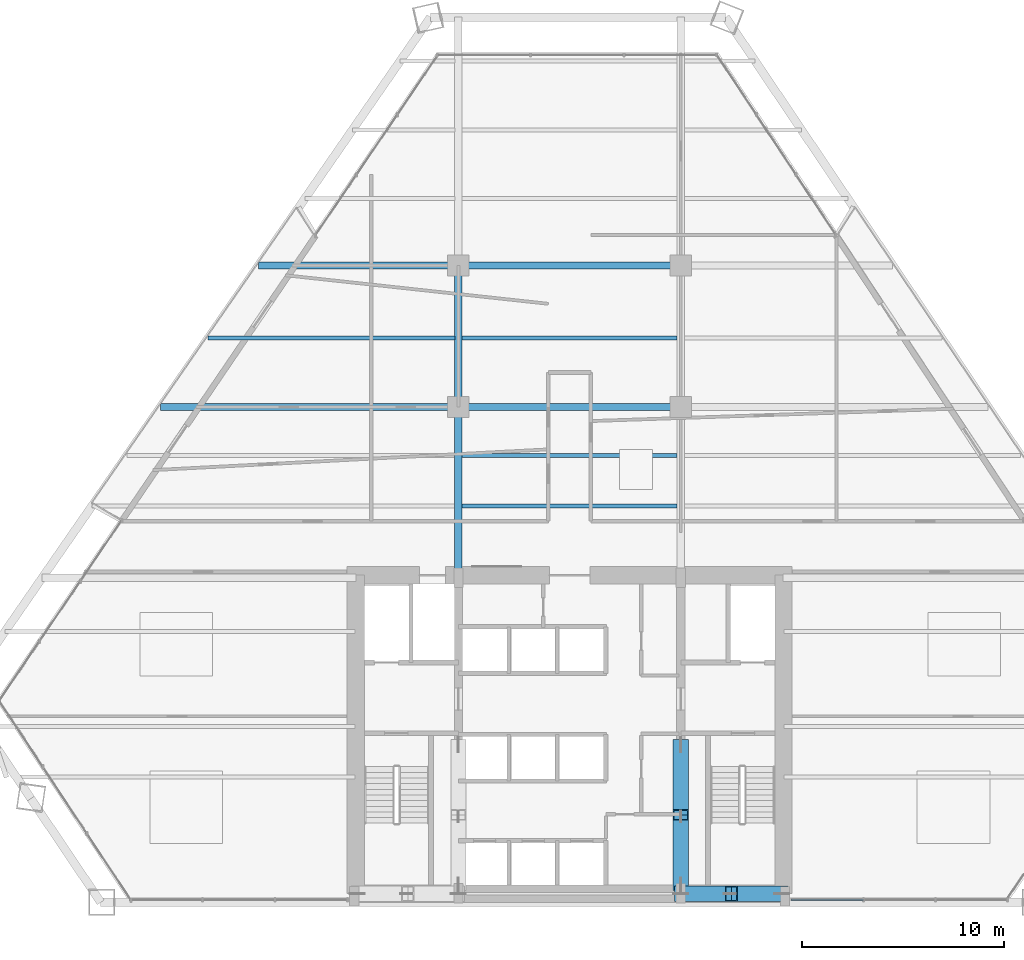
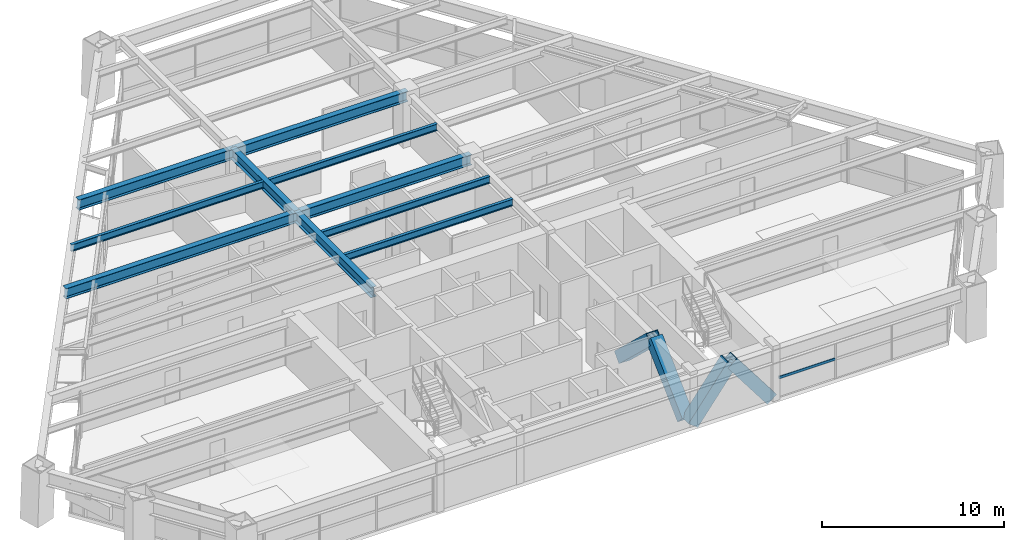
# One storey, part 5 of 14: 10 beams, 5 members, 1 element without a shape of its own.
"""IFC4 building model written with IfcOpenShell, lengths in metres."""

from ifc_helpers import new_model, si_unit, direction, frame, origin, origin_2d, place, context, subcontext, project, spatial, rectangle, hollow_rectangle, i_section, extrude, source, transform, mapped, material, material_profile, profile_set, type_object, type_shapes, element, aggregate, save


model = new_model("IFC4")

# Units and contexts
model_context = context("Model", 3, precision=1e-05, world=origin(), true_north=direction((0.0, 1.0)))
body_context = subcontext(model_context, "Body", "Model", "MODEL_VIEW")
ifc_project = project(units=[si_unit("LENGTHUNIT", "METRE"), si_unit("AREAUNIT", "SQUARE_METRE"), si_unit("VOLUMEUNIT", "CUBIC_METRE"), si_unit("PLANEANGLEUNIT", "RADIAN"), si_unit("MASSUNIT", "GRAM", prefix="KILO")], contexts=[model_context])

# Site, building, storey
site_placement = place(None, origin())
site = spatial("IfcSite", under=ifc_project, at=site_placement, CompositionType="ELEMENT")
building_placement = place(site_placement, origin())
building = spatial("IfcBuilding", under=site, at=building_placement, Name="Varnakhor Terracotta Tower", CompositionType="ELEMENT")
storey_placement = place(building_placement, frame((0.0, 0.0, 64.5)))
storey = spatial("IfcBuildingStorey", under=building, at=storey_placement, Name="L15", CompositionType="ELEMENT", Elevation=64.5)

# Beams
ifc_material_1 = material(Name="Steel S355", Category="steel")
ifc_material_profile_1 = material_profile(ifc_material_1, i_section(OverallWidth=0.35498046875, OverallDepth=0.695068359375, WebThickness=0.014892578125, FlangeThickness=0.02490234375, FilletRadius=0.01806640625, at=origin_2d()), Name="W27X146")
ifc_profile_set_1 = profile_set([ifc_material_profile_1], Name="Steel S355")
beam_type_1 = type_object("IfcBeamType", Name="BM-W27X146", PredefinedType="BEAM", material=ifc_profile_set_1)
shared_shape_1 = source(origin(), body_context, "Body", "SweptSolid", [
    extrude(i_section(OverallWidth=0.35498046875, OverallDepth=0.695068359375, WebThickness=0.014892578125, FlangeThickness=0.02490234375, FilletRadius=0.01806640625, at=origin_2d()), origin(), (0.0, 0.0, 1.0), 8.449951171875),
])
type_shapes(beam_type_1, [shared_shape_1])
beam_1_placement = place(storey_placement, frame((-5.5, 16.050048828125, 3.1025390625), z_axis=(0.0, 1.0, 0.0), x_axis=(-1.0, 0.0, 0.0)))
element("IfcBeam", 1, at=beam_1_placement, inside=storey, type_object=beam_type_1, Name="L15 Primary Girder NS1-W", PredefinedType="BEAM", context=body_context, shape_type="MappedRepresentation", body=[
    mapped(shared_shape_1, transform((0.0, 0.0, 0.0), scale=1.0)),
])
shared_shape_2 = source(origin(), body_context, "Body", "SweptSolid", [
    extrude(i_section(OverallWidth=0.35498046875, OverallDepth=0.695068359375, WebThickness=0.014892578125, FlangeThickness=0.02490234375, FilletRadius=0.01806640625, at=origin_2d()), origin(), (0.0, 0.0, 1.0), 7.0),
])
beam_2_placement = place(storey_placement, frame((-5.5, 24.5, 3.1025390625), z_axis=(0.0, 1.0, 0.0), x_axis=(-1.0, 0.0, 0.0)))
element("IfcBeam", 2, at=beam_2_placement, inside=storey, type_object=beam_type_1, Name="L15 Primary Girder NS2-W", PredefinedType="BEAM", context=body_context, shape_type="MappedRepresentation", body=[
    mapped(shared_shape_2, transform((0.0, 0.0, 0.0), scale=1.0)),
])
shared_shape_3 = source(origin(), body_context, "Body", "SweptSolid", [
    extrude(i_section(OverallWidth=0.35498046875, OverallDepth=0.695068359375, WebThickness=0.014892578125, FlangeThickness=0.02490234375, FilletRadius=0.01806640625, at=origin_2d()), origin(), (0.0, 0.0, 1.0), 11.0),
])
for number, where, z_axis, x_axis, name in (
    (3, (-5.5, 24.5, 3.1025390625), (1.0, 0.0, 0.0), (0.0, 1.0, 0.0), "L15 Primary Girder EW2-2"),
    (4, (-5.5, 31.5, 3.1025390625), (1.0, 0.0, 0.0), (0.0, 1.0, 0.0), "L15 Primary Girder EW3-2"),
):
    element("IfcBeam", number, at=place(storey_placement, frame(where, z_axis=z_axis, x_axis=x_axis)), inside=storey, type_object=beam_type_1, Name=name, PredefinedType="BEAM", context=body_context, shape_type="MappedRepresentation", body=[
        mapped(shared_shape_3, transform((0.0, 0.0, 0.0), scale=1.0)),
    ])
ifc_material_profile_2 = material_profile(ifc_material_1, i_section(OverallWidth=0.19189453125, OverallDepth=0.462890625, WebThickness=0.010498046875, FlangeThickness=0.017578125, FilletRadius=0.01806640625, at=origin_2d()), Name="W18X60")
ifc_profile_set_2 = profile_set([ifc_material_profile_2], Name="Steel S355")
beam_type_2 = type_object("IfcBeamType", Name="JST-W18X60", PredefinedType="JOIST", material=ifc_profile_set_2)
shared_shape_4 = source(origin(), body_context, "Body", "SweptSolid", [
    extrude(i_section(OverallWidth=0.19189453125, OverallDepth=0.462890625, WebThickness=0.010498046875, FlangeThickness=0.017578125, FilletRadius=0.01806640625, at=origin_2d()), origin(), (0.0, 0.0, 1.0), 10.65283203125),
])
for number, where, z_axis, x_axis, name in (
    (5, (-5.326416015625, 19.60009765625, 3.218505859375), (1.0, 0.0, 0.0), (0.0, 1.0, 0.0), "L15 Composite Floor Joist 4-2"),
    (6, (-5.326416015625, 22.10009765625, 3.218505859375), (1.0, 0.0, 0.0), (0.0, 1.0, 0.0), "L15 Composite Floor Joist 5-2"),
    (7, (-5.326416015625, 27.89990234375, 3.218505859375), (1.0, 0.0, 0.0), (0.0, 1.0, 0.0), "L15 Composite Floor Joist 6-2"),
):
    element("IfcBeam", number, at=place(storey_placement, frame(where, z_axis=z_axis, x_axis=x_axis)), inside=storey, type_object=beam_type_2, Name=name, PredefinedType="JOIST", context=body_context, shape_type="MappedRepresentation", body=[
        mapped(shared_shape_4, transform((0.0, 0.0, 0.0), scale=1.0)),
    ])

# Members
ifc_material_2 = material(Name="Steel S460", Category="steel")
ifc_material_profile_3 = material_profile(ifc_material_2, hollow_rectangle(XDim=0.75, YDim=0.75, WallThickness=0.044921875, at=origin_2d()), Name="HSS750X750X45")
ifc_profile_set_3 = profile_set([ifc_material_profile_3], Name="Steel S460")
member_type_1 = type_object("IfcMemberType", Name="MBR-MEGA-750", PredefinedType="BRACE", material=ifc_profile_set_3)
shared_shape_5 = source(origin(), body_context, "Body", "SweptSolid", [
    extrude(hollow_rectangle(XDim=0.75, YDim=0.75, WallThickness=0.044921875, at=origin_2d()), origin(), (0.0, 0.0, 1.0), 4.14013671875),
])
type_shapes(member_type_1, [shared_shape_5])
for number, where, z_axis, x_axis, name in (
    (8, (5.5, 0.419921875, 0.0), (0.603852011179, 0.0, 0.797096448741), (0.0, 1.0, 0.0), "L15 Core Coupled Brace CSEA"),
    (9, (10.5, 0.419921875, 0.0), (-0.603852011179, 0.0, 0.797096448741), (0.0, -1.0, 0.0), "L15 Core Coupled Brace CSEB"),
):
    element("IfcMember", number, at=place(storey_placement, frame(where, z_axis=z_axis, x_axis=x_axis)), inside=storey, type_object=member_type_1, Name=name, PredefinedType="BRACE", context=body_context, shape_type="MappedRepresentation", body=[
        mapped(shared_shape_5, transform((0.0, 0.0, 0.0), scale=1.0)),
    ])
shared_shape_6 = source(origin(), body_context, "Body", "SweptSolid", [
    extrude(hollow_rectangle(XDim=0.75, YDim=0.75, WallThickness=0.044921875, at=origin_2d()), origin(), (0.0, 0.0, 1.0), 4.792236328125),
])
for number, where, z_axis, x_axis, name in (
    (10, (5.5, 0.85009765625, 0.0), (0.0, 0.725110085518, 0.688632967466), (-1.0, 0.0, 0.0), "L15 Core Coupled Brace CWEA"),
    (11, (5.5, 7.800048828125, 0.0), (0.0, -0.72513424341, 0.688607529028), (1.0, 0.0, 0.0), "L15 Core Coupled Brace CWEB"),
):
    element("IfcMember", number, at=place(storey_placement, frame(where, z_axis=z_axis, x_axis=x_axis)), inside=storey, type_object=member_type_1, Name=name, PredefinedType="BRACE", context=body_context, shape_type="MappedRepresentation", body=[
        mapped(shared_shape_6, transform((0.0, 0.0, 0.0), scale=1.0)),
    ])

# Beams
shared_shape_7 = source(origin(), body_context, "Body", "SweptSolid", [
    extrude(i_section(OverallWidth=0.35498046875, OverallDepth=0.695068359375, WebThickness=0.014892578125, FlangeThickness=0.02490234375, FilletRadius=0.01806640625, at=origin_2d()), origin(), (0.0, 0.0, 1.0), 14.7265625),
])
beam_3_placement = place(storey_placement, frame((-20.2265625, 24.5, 3.1025390625), z_axis=(1.0, 0.0, 0.0), x_axis=(0.0, 1.0, 0.0)))
element("IfcBeam", 12, at=beam_3_placement, inside=storey, type_object=beam_type_1, Name="L15 Primary Girder EW2-1", PredefinedType="BEAM", context=body_context, shape_type="MappedRepresentation", body=[
    mapped(shared_shape_7, transform((0.0, 0.0, 0.0), scale=1.0)),
])
shared_shape_8 = source(origin(), body_context, "Body", "SweptSolid", [
    extrude(i_section(OverallWidth=0.35498046875, OverallDepth=0.695068359375, WebThickness=0.014892578125, FlangeThickness=0.02490234375, FilletRadius=0.01806640625, at=origin_2d()), origin(), (0.0, 0.0, 1.0), 9.87841796875),
])
beam_4_placement = place(storey_placement, frame((-15.37841796875, 31.5, 3.1025390625), z_axis=(1.0, 0.0, 0.0), x_axis=(0.0, 1.0, 0.0)))
element("IfcBeam", 13, at=beam_4_placement, inside=storey, type_object=beam_type_1, Name="L15 Primary Girder EW3-1", PredefinedType="BEAM", context=body_context, shape_type="MappedRepresentation", body=[
    mapped(shared_shape_8, transform((0.0, 0.0, 0.0), scale=1.0)),
])
shared_shape_9 = source(origin(), body_context, "Body", "SweptSolid", [
    extrude(i_section(OverallWidth=0.19189453125, OverallDepth=0.462890625, WebThickness=0.010498046875, FlangeThickness=0.017578125, FilletRadius=0.01806640625, at=origin_2d()), origin(), (0.0, 0.0, 1.0), 12.197998046875),
])
beam_5_placement = place(storey_placement, frame((-17.87158203125, 27.89990234375, 3.218505859375), z_axis=(1.0, 0.0, 0.0), x_axis=(0.0, 1.0, 0.0)))
element("IfcBeam", 14, at=beam_5_placement, inside=storey, type_object=beam_type_2, Name="L15 Composite Floor Joist 6-1", PredefinedType="JOIST", context=body_context, shape_type="MappedRepresentation", body=[
    mapped(shared_shape_9, transform((0.0, 0.0, 0.0), scale=1.0)),
])

# Curtain wall, member
ifc_material_3 = material(Name="Anodised Aluminium Curtain Wall System", Category="aluminium")
curtain_wall_type = type_object("IfcCurtainWallType", Name="CW-SYS-LOW-OFFICE", PredefinedType="NOTDEFINED", material=ifc_material_3)
curtain_wall_placement = place(storey_placement, origin())
curtain_wall = element("IfcCurtainWall", 15, at=curtain_wall_placement, inside=storey, type_object=curtain_wall_type, Name="L15 South Wing Curtain Wall SSE", PredefinedType="NOTDEFINED")
ifc_material_4 = material(Name="Anodised Aluminium 6063-T6", Category="aluminium")
ifc_material_profile_4 = material_profile(ifc_material_4, rectangle(XDim=0.074951171875, YDim=0.1650390625, at=origin_2d()), Name="ALU TRANSOM 75x165")
ifc_profile_set_4 = profile_set([ifc_material_profile_4], Name="Anodised Aluminium 6063-T6")
member_type_2 = type_object("IfcMemberType", Name="CWT-02", PredefinedType="USERDEFINED", material=ifc_profile_set_4)
shared_shape_10 = source(origin(), body_context, "Body", "SweptSolid", [
    extrude(rectangle(XDim=0.074951171875, YDim=0.1650390625, at=origin_2d()), origin(), (0.0, 0.0, 1.0), 3.564453125),
])
member_placement = place(storey_placement, frame((14.534423828125, 0.1201171875, 1.272705078125), z_axis=(-1.0, 0.0, 0.0), x_axis=(0.0, -1.0, 0.0)))
member = element("IfcMember", 16, at=member_placement, type_object=member_type_2, Name="L15 South Wing Curtain Wall SSE Transom 3", ObjectType="TRANSOM", PredefinedType="USERDEFINED", context=body_context, shape_type="MappedRepresentation", body=[
    mapped(shared_shape_10, transform((0.0, 0.0, 0.0), scale=1.0)),
])
aggregate(curtain_wall, [member])

save(model, "model.ifc")
